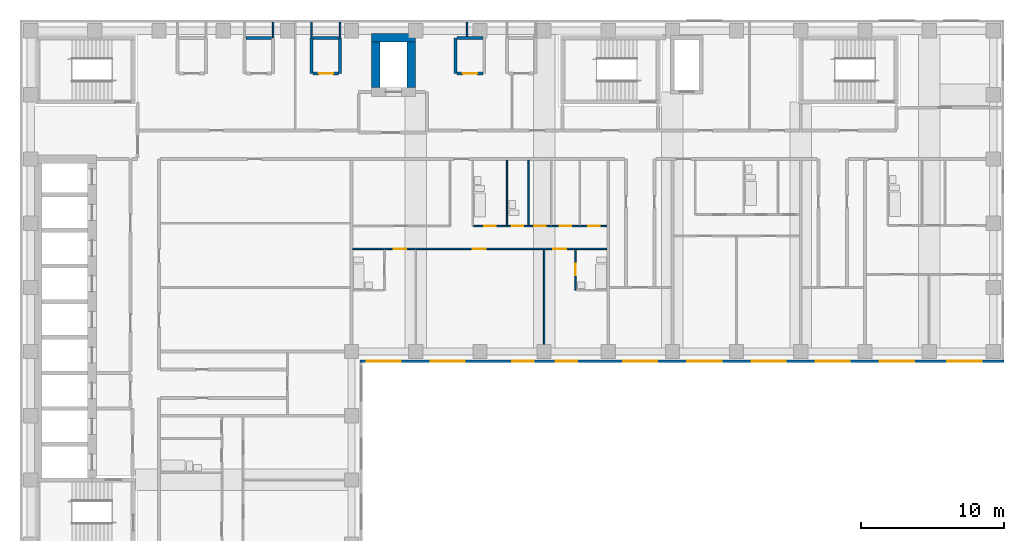
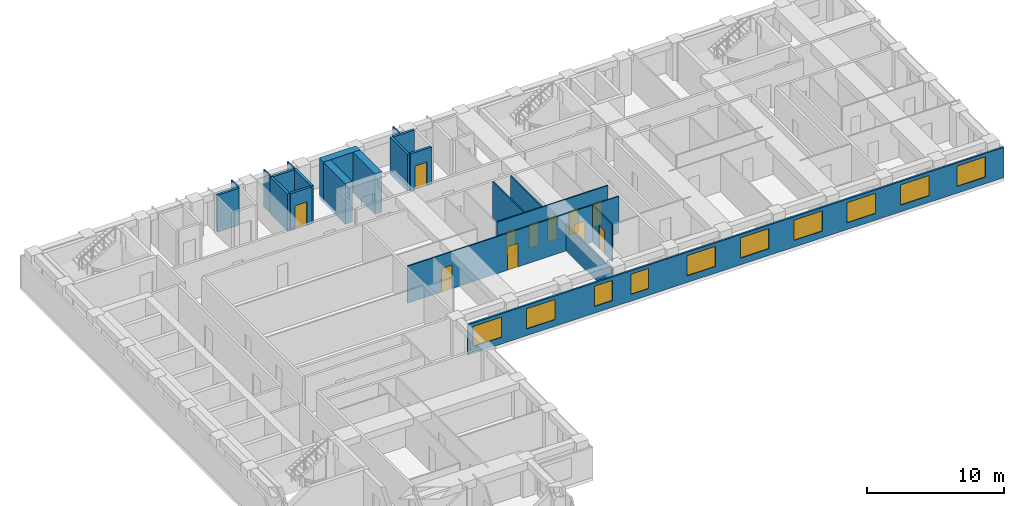
# One storey, part 6 of 12: 22 walls, 11 doors, 10 windows, 21 openings.
"""IFC4 building model written with IfcOpenShell, lengths in metres."""

from ifc_helpers import new_model, si_unit, direction, frame, frame_2d, origin, place, context, subcontext, project, spatial, rectangle, extrude, material, layer, layer_set, type_object, element, fill, save


model = new_model("IFC4")

# Units and contexts
model_context = context("Model", 3, precision=1e-05, world=origin(), true_north=direction((0.0, 1.0)))
body_context = subcontext(model_context, "Body", "Model", "MODEL_VIEW")
ifc_project = project(units=[si_unit("LENGTHUNIT", "METRE"), si_unit("AREAUNIT", "SQUARE_METRE"), si_unit("VOLUMEUNIT", "CUBIC_METRE"), si_unit("PLANEANGLEUNIT", "RADIAN"), si_unit("MASSUNIT", "GRAM", prefix="KILO")], contexts=[model_context])

# Site, building, storey
site_placement = place(None, origin())
site = spatial("IfcSite", under=ifc_project, at=site_placement, CompositionType="ELEMENT")
building_placement = place(site_placement, origin())
building = spatial("IfcBuilding", under=site, at=building_placement, Name="Firuza Court", CompositionType="ELEMENT")
storey_placement = place(building_placement, frame((0.0, 0.0, 166.39990234375)))
storey = spatial("IfcBuildingStorey", under=building, at=storey_placement, Name="L42", CompositionType="ELEMENT", Elevation=166.39990234375)

# Wall, opening, door
ifc_material_1 = material(Name="Moisture-resistant gypsum board partition")
ifc_layer_1 = layer(ifc_material_1, 0.10009765625)
ifc_layer_set_1 = layer_set([ifc_layer_1], Name="Moisture-resistant gypsum board partition")
wall_type_1 = type_object("IfcWallType", Name="Bathroom partition 100", PredefinedType="PLUMBINGWALL", material=ifc_layer_set_1)
wall_1_placement = place(storey_placement, frame((38.199951171875, 40.300048828125, 0.0), z_axis=(0.0, 0.0, 1.0), x_axis=(0.0, 1.0, 0.0)))
wall_1 = element("IfcWall", 1, at=wall_1_placement, inside=storey, type_object=wall_type_1, Name="Bathroom partition 100 L42", PredefinedType="PLUMBINGWALL", context=body_context, shape_type="SweptSolid", body=[
    extrude(rectangle(XDim=2.849853515625, YDim=0.10009765625, at=frame_2d((1.4248046875, 0.0))), origin(), (0.0, 0.0, 1.0), 3.300048828125),
])
opening_1_placement = place(wall_1_placement, frame((1.050048828125, 0.0, 0.0)))
opening_1 = element("IfcOpeningElement", 2, at=opening_1_placement, cuts=wall_1, Name="Opening D42041", PredefinedType="OPENING", context=body_context, shape_type="SweptSolid", body=[
    extrude(rectangle(XDim=0.800048828125, YDim=2.10009765625, at=frame_2d((0.39990234375, 1.050048828125))), frame((0.0, 0.06201171875, 0.0), z_axis=(0.0, -1.0, 0.0), x_axis=(1.0, 0.0, 0.0)), (0.0, 0.0, 1.0), 0.1240234375),
])
ifc_material_2 = material(Name="Timber door leaf in hardwood frame", Category="wood")
door_type_1 = type_object("IfcDoorType", Name="Bathroom door 800", OperationType="SINGLE_SWING_LEFT", PredefinedType="DOOR", material=ifc_material_2)
door_1_placement = place(opening_1_placement, frame((0.800048828125, 0.0, 0.0), z_axis=(0.0, 0.0, 1.0), x_axis=(-1.0, 0.0, 0.0)))
door_1 = element("IfcDoor", 3, at=door_1_placement, inside=storey, type_object=door_type_1, Name="En-suite door", OperationType="SINGLE_SWING_RIGHT", OverallHeight=2.10009765625, OverallWidth=0.800048828125, PredefinedType="DOOR", context=body_context, shape_type="SweptSolid", body=[
    extrude(rectangle(XDim=0.800048828125, YDim=2.10009765625, at=frame_2d((0.39990234375, 1.050048828125))), frame((0.0, 0.02490234375, 0.0), z_axis=(0.0, -1.0, 0.0), x_axis=(1.0, 0.0, 0.0)), (0.0, 0.0, 1.0), 0.050048828125),
])
fill(opening_1, door_1)

# Walls
for number, where, z_axis, x_axis, name in (
    (4, (33.39990234375, 44.85009765625, 0.0), (0.0, 0.0, 1.0), (0.0, 1.0, 0.0), "Bathroom partition 100 L42"),
    (5, (34.89990234375, 44.85009765625, 0.0), (0.0, 0.0, 1.0), (0.0, 1.0, 0.0), "Bathroom partition 100 L42"),
):
    element("IfcWall", number, at=place(storey_placement, frame(where, z_axis=z_axis, x_axis=x_axis)), inside=storey, type_object=wall_type_1, Name=name, PredefinedType="PLUMBINGWALL", context=body_context, shape_type="SweptSolid", body=[
        extrude(rectangle(XDim=4.5498046875, YDim=0.10009765625, at=frame_2d((2.27490234375, 0.0))), origin(), (0.0, 0.0, 1.0), 3.300048828125),
    ])
ifc_material_3 = material(Name="Concrete C60/75", Category="concrete")
ifc_layer_2 = layer(ifc_material_3, 0.60009765625)
ifc_layer_set_2 = layer_set([ifc_layer_2], Name="Concrete C60/75")
wall_type_2 = type_object("IfcWallType", Name="Core wall 600 C60/75", PredefinedType="SHEAR", material=ifc_layer_set_2)
wall_2_placement = place(storey_placement, frame((23.89990234375, 58.0, -0.2998046875), z_axis=(0.0, 0.0, 1.0), x_axis=(1.0, 0.0, 0.0)))
element("IfcWall", 6, at=wall_2_placement, inside=storey, type_object=wall_type_2, Name="Core wall lift shaft L42", PredefinedType="SHEAR", context=body_context, shape_type="SweptSolid", body=[
    extrude(rectangle(XDim=3.10009765625, YDim=0.60009765625, at=frame_2d((1.550048828125, 0.0))), origin(), (0.0, 0.0, 1.0), 3.599853515625),
])
for number, where, z_axis, x_axis, name in (
    (7, (24.199951171875, 54.5, -0.2998046875), (0.0, 0.0, 1.0), (0.0, 1.0, 0.0), "Core wall lift shaft L42"),
    (8, (26.699951171875, 54.5, -0.2998046875), (0.0, 0.0, 1.0), (0.0, 1.0, 0.0), "Core wall lift shaft L42"),
):
    element("IfcWall", number, at=place(storey_placement, frame(where, z_axis=z_axis, x_axis=x_axis)), inside=storey, type_object=wall_type_2, Name=name, PredefinedType="SHEAR", context=body_context, shape_type="SweptSolid", body=[
        extrude(rectangle(XDim=3.199951171875, YDim=0.60009765625, at=frame_2d((1.60009765625, 0.0))), origin(), (0.0, 0.0, 1.0), 3.599853515625),
    ])
ifc_material_4 = material(Name="Timber stud partition, plasterboard both sides", Category="wood")
ifc_layer_3 = layer(ifc_material_4, 0.10009765625)
ifc_layer_set_3 = layer_set([ifc_layer_3], Name="Timber stud partition, plasterboard both sides")
wall_type_3 = type_object("IfcWallType", Name="Partition wall 100", PredefinedType="PARTITIONING", material=ifc_layer_set_3)
wall_3_placement = place(storey_placement, frame((36.0, 36.5, 0.0), z_axis=(0.0, 0.0, 1.0), x_axis=(0.0, 1.0, 0.0)))
element("IfcWall", 9, at=wall_3_placement, inside=storey, type_object=wall_type_3, Name="Partition wall 100 L42", PredefinedType="PARTITIONING", context=body_context, shape_type="SweptSolid", body=[
    extrude(rectangle(XDim=6.64990234375, YDim=0.10009765625, at=frame_2d((3.324951171875, 0.0))), origin(), (0.0, 0.0, 1.0), 2.400146484375),
])

# Wall, openings, doors
wall_4_placement = place(storey_placement, frame((22.60009765625, 43.199951171875, 0.0), z_axis=(0.0, 0.0, 1.0), x_axis=(1.0, 0.0, 0.0)))
wall_4 = element("IfcWall", 10, at=wall_4_placement, inside=storey, type_object=wall_type_3, Name="Partition wall 100 L42", PredefinedType="PARTITIONING", context=body_context, shape_type="SweptSolid", body=[
    extrude(rectangle(XDim=17.7998046875, YDim=0.10009765625, at=frame_2d((8.89990234375, 0.0))), origin(), (0.0, 0.0, 1.0), 3.300048828125),
])
opening_2_placement = place(wall_4_placement, frame((2.85009765625, 0.0, 0.0)))
opening_2 = element("IfcOpeningElement", 11, at=opening_2_placement, cuts=wall_4, Name="Opening D42050", PredefinedType="OPENING", context=body_context, shape_type="SweptSolid", body=[
    extrude(rectangle(XDim=0.89990234375, YDim=2.10009765625, at=frame_2d((0.449951171875, 1.050048828125))), frame((0.0, 0.06201171875, 0.0), z_axis=(0.0, -1.0, 0.0), x_axis=(1.0, 0.0, 0.0)), (0.0, 0.0, 1.0), 0.1240234375),
])
opening_3_placement = place(wall_4_placement, frame((8.39990234375, 0.0, 0.0)))
opening_3 = element("IfcOpeningElement", 12, at=opening_3_placement, cuts=wall_4, Name="Opening D42051", PredefinedType="OPENING", context=body_context, shape_type="SweptSolid", body=[
    extrude(rectangle(XDim=0.89990234375, YDim=2.10009765625, at=frame_2d((0.449951171875, 1.050048828125))), frame((0.0, 0.06201171875, 0.0), z_axis=(0.0, -1.0, 0.0), x_axis=(1.0, 0.0, 0.0)), (0.0, 0.0, 1.0), 0.1240234375),
])
opening_4_placement = place(wall_4_placement, frame((14.050048828125, 0.0, 0.0)))
opening_4 = element("IfcOpeningElement", 13, at=opening_4_placement, cuts=wall_4, Name="Opening D42052", PredefinedType="OPENING", context=body_context, shape_type="SweptSolid", body=[
    extrude(rectangle(XDim=0.89990234375, YDim=2.10009765625, at=frame_2d((0.449951171875, 1.050048828125))), frame((0.0, 0.06201171875, 0.0), z_axis=(0.0, -1.0, 0.0), x_axis=(1.0, 0.0, 0.0)), (0.0, 0.0, 1.0), 0.1240234375),
])
ifc_material_5 = material(Name="Timber door leaf in hardwood frame", Category="wood")
door_type_2 = type_object("IfcDoorType", Name="Room door 900", OperationType="SINGLE_SWING_LEFT", PredefinedType="DOOR", material=ifc_material_5)
door_2_placement = place(opening_2_placement, frame((0.89990234375, 0.0, 0.0), z_axis=(0.0, 0.0, 1.0), x_axis=(-1.0, 0.0, 0.0)))
door_2 = element("IfcDoor", 14, at=door_2_placement, inside=storey, type_object=door_type_2, Name="Bedroom door", OperationType="SINGLE_SWING_RIGHT", OverallHeight=2.10009765625, OverallWidth=0.89990234375, PredefinedType="DOOR", context=body_context, shape_type="SweptSolid", body=[
    extrude(rectangle(XDim=0.89990234375, YDim=2.10009765625, at=frame_2d((0.449951171875, 1.050048828125))), frame((0.0, 0.02490234375, 0.0), z_axis=(0.0, -1.0, 0.0), x_axis=(1.0, 0.0, 0.0)), (0.0, 0.0, 1.0), 0.050048828125),
])
fill(opening_2, door_2)
door_3_placement = place(opening_3_placement, frame((0.89990234375, 0.0, 0.0), z_axis=(0.0, 0.0, 1.0), x_axis=(-1.0, 0.0, 0.0)))
door_3 = element("IfcDoor", 15, at=door_3_placement, inside=storey, type_object=door_type_2, Name="Living room door", OperationType="SINGLE_SWING_RIGHT", OverallHeight=2.10009765625, OverallWidth=0.89990234375, PredefinedType="DOOR", context=body_context, shape_type="SweptSolid", body=[
    extrude(rectangle(XDim=0.89990234375, YDim=2.10009765625, at=frame_2d((0.449951171875, 1.050048828125))), frame((0.0, 0.02490234375, 0.0), z_axis=(0.0, -1.0, 0.0), x_axis=(1.0, 0.0, 0.0)), (0.0, 0.0, 1.0), 0.050048828125),
])
fill(opening_3, door_3)
door_4_placement = place(opening_4_placement, frame((0.89990234375, 0.0, 0.0), z_axis=(0.0, 0.0, 1.0), x_axis=(-1.0, 0.0, 0.0)))
door_4 = element("IfcDoor", 16, at=door_4_placement, inside=storey, type_object=door_type_2, Name="Bedroom door", OperationType="SINGLE_SWING_RIGHT", OverallHeight=2.10009765625, OverallWidth=0.89990234375, PredefinedType="DOOR", context=body_context, shape_type="SweptSolid", body=[
    extrude(rectangle(XDim=0.89990234375, YDim=2.10009765625, at=frame_2d((0.449951171875, 1.050048828125))), frame((0.0, 0.02490234375, 0.0), z_axis=(0.0, -1.0, 0.0), x_axis=(1.0, 0.0, 0.0)), (0.0, 0.0, 1.0), 0.050048828125),
])
fill(opening_4, door_4)

wall_5_placement = place(storey_placement, frame((31.050048828125, 44.800048828125, 0.0), z_axis=(0.0, 0.0, 1.0), x_axis=(1.0, 0.0, 0.0)))
wall_5 = element("IfcWall", 17, at=wall_5_placement, inside=storey, type_object=wall_type_3, Name="Partition wall 100 L42", PredefinedType="PARTITIONING", context=body_context, shape_type="SweptSolid", body=[
    extrude(rectangle(XDim=9.349853515625, YDim=0.10009765625, at=frame_2d((4.6748046875, 0.0))), origin(), (0.0, 0.0, 1.0), 3.300048828125),
])
opening_5_placement = place(wall_5_placement, frame((0.75, 0.0, 0.0)))
opening_5 = element("IfcOpeningElement", 18, at=opening_5_placement, cuts=wall_5, Name="Opening D42056", PredefinedType="OPENING", context=body_context, shape_type="SweptSolid", body=[
    extrude(rectangle(XDim=0.800048828125, YDim=2.10009765625, at=frame_2d((0.39990234375, 1.050048828125))), frame((0.0, 0.06201171875, 0.0), z_axis=(0.0, -1.0, 0.0), x_axis=(1.0, 0.0, 0.0)), (0.0, 0.0, 1.0), 0.1240234375),
])
opening_6_placement = place(wall_5_placement, frame((8.050048828125, 0.0, 0.0)))
opening_6 = element("IfcOpeningElement", 19, at=opening_6_placement, cuts=wall_5, Name="Opening D42057", PredefinedType="OPENING", context=body_context, shape_type="SweptSolid", body=[
    extrude(rectangle(XDim=0.800048828125, YDim=2.10009765625, at=frame_2d((0.39990234375, 1.050048828125))), frame((0.0, 0.06201171875, 0.0), z_axis=(0.0, -1.0, 0.0), x_axis=(1.0, 0.0, 0.0)), (0.0, 0.0, 1.0), 0.1240234375),
])
opening_7_placement = place(wall_5_placement, frame((4.25, 0.0, 0.0)))
opening_7 = element("IfcOpeningElement", 20, at=opening_7_placement, cuts=wall_5, Name="Opening D42058", PredefinedType="OPENING", context=body_context, shape_type="SweptSolid", body=[
    extrude(rectangle(XDim=0.800048828125, YDim=2.10009765625, at=frame_2d((0.39990234375, 1.050048828125))), frame((0.0, 0.06201171875, 0.0), z_axis=(0.0, -1.0, 0.0), x_axis=(1.0, 0.0, 0.0)), (0.0, 0.0, 1.0), 0.1240234375),
])
opening_8_placement = place(wall_5_placement, frame((6.050048828125, 0.0, 0.0)))
opening_8 = element("IfcOpeningElement", 21, at=opening_8_placement, cuts=wall_5, Name="Opening D42059", PredefinedType="OPENING", context=body_context, shape_type="SweptSolid", body=[
    extrude(rectangle(XDim=0.800048828125, YDim=2.10009765625, at=frame_2d((0.39990234375, 1.050048828125))), frame((0.0, 0.06201171875, 0.0), z_axis=(0.0, -1.0, 0.0), x_axis=(1.0, 0.0, 0.0)), (0.0, 0.0, 1.0), 0.1240234375),
])
opening_9_placement = place(wall_5_placement, frame((2.699951171875, 0.0, 0.0)))
opening_9 = element("IfcOpeningElement", 22, at=opening_9_placement, cuts=wall_5, Name="Opening D42060", PredefinedType="OPENING", context=body_context, shape_type="SweptSolid", body=[
    extrude(rectangle(XDim=0.800048828125, YDim=2.10009765625, at=frame_2d((0.39990234375, 1.050048828125))), frame((0.0, 0.06201171875, 0.0), z_axis=(0.0, -1.0, 0.0), x_axis=(1.0, 0.0, 0.0)), (0.0, 0.0, 1.0), 0.1240234375),
])
door_5_placement = place(opening_5_placement, origin())
door_5 = element("IfcDoor", 23, at=door_5_placement, inside=storey, type_object=door_type_1, Name="Bathroom door", OperationType="SINGLE_SWING_LEFT", OverallHeight=2.10009765625, OverallWidth=0.800048828125, PredefinedType="DOOR", context=body_context, shape_type="SweptSolid", body=[
    extrude(rectangle(XDim=0.800048828125, YDim=2.10009765625, at=frame_2d((0.39990234375, 1.050048828125))), frame((0.0, 0.02490234375, 0.0), z_axis=(0.0, -1.0, 0.0), x_axis=(1.0, 0.0, 0.0)), (0.0, 0.0, 1.0), 0.050048828125),
])
fill(opening_5, door_5)
door_6_placement = place(opening_9_placement, origin())
door_6 = element("IfcDoor", 24, at=door_6_placement, inside=storey, type_object=door_type_1, Name="Powder room door", OperationType="SINGLE_SWING_LEFT", OverallHeight=2.10009765625, OverallWidth=0.800048828125, PredefinedType="DOOR", context=body_context, shape_type="SweptSolid", body=[
    extrude(rectangle(XDim=0.800048828125, YDim=2.10009765625, at=frame_2d((0.39990234375, 1.050048828125))), frame((0.0, 0.02490234375, 0.0), z_axis=(0.0, -1.0, 0.0), x_axis=(1.0, 0.0, 0.0)), (0.0, 0.0, 1.0), 0.050048828125),
])
fill(opening_9, door_6)
ifc_material_6 = material(Name="Timber door leaf in hardwood frame", Category="wood")
door_type_3 = type_object("IfcDoorType", Name="Room door 800", OperationType="SINGLE_SWING_LEFT", PredefinedType="DOOR", material=ifc_material_6)
door_7_placement = place(opening_6_placement, origin())
door_7 = element("IfcDoor", 25, at=door_7_placement, inside=storey, type_object=door_type_3, Name="Pantry door", OperationType="SINGLE_SWING_LEFT", OverallHeight=2.10009765625, OverallWidth=0.800048828125, PredefinedType="DOOR", context=body_context, shape_type="SweptSolid", body=[
    extrude(rectangle(XDim=0.800048828125, YDim=2.10009765625, at=frame_2d((0.39990234375, 1.050048828125))), frame((0.0, 0.02490234375, 0.0), z_axis=(0.0, -1.0, 0.0), x_axis=(1.0, 0.0, 0.0)), (0.0, 0.0, 1.0), 0.050048828125),
])
fill(opening_6, door_7)
door_8_placement = place(opening_7_placement, origin())
door_8 = element("IfcDoor", 26, at=door_8_placement, inside=storey, type_object=door_type_3, Name="Store door", OperationType="SINGLE_SWING_LEFT", OverallHeight=2.10009765625, OverallWidth=0.800048828125, PredefinedType="DOOR", context=body_context, shape_type="SweptSolid", body=[
    extrude(rectangle(XDim=0.800048828125, YDim=2.10009765625, at=frame_2d((0.39990234375, 1.050048828125))), frame((0.0, 0.02490234375, 0.0), z_axis=(0.0, -1.0, 0.0), x_axis=(1.0, 0.0, 0.0)), (0.0, 0.0, 1.0), 0.050048828125),
])
fill(opening_7, door_8)
door_9_placement = place(opening_8_placement, origin())
door_9 = element("IfcDoor", 27, at=door_9_placement, inside=storey, type_object=door_type_3, Name="Utility room door", OperationType="SINGLE_SWING_LEFT", OverallHeight=2.10009765625, OverallWidth=0.800048828125, PredefinedType="DOOR", context=body_context, shape_type="SweptSolid", body=[
    extrude(rectangle(XDim=0.800048828125, YDim=2.10009765625, at=frame_2d((0.39990234375, 1.050048828125))), frame((0.0, 0.02490234375, 0.0), z_axis=(0.0, -1.0, 0.0), x_axis=(1.0, 0.0, 0.0)), (0.0, 0.0, 1.0), 0.050048828125),
])
fill(opening_8, door_9)

# Walls
for number, where, z_axis, x_axis, name in (
    (28, (17.0, 58.0, 0.0), (0.0, 0.0, 1.0), (0.0, 1.0, 0.0), "Partition wall 100 L42"),
    (29, (19.699951171875, 58.0, 0.0), (0.0, 0.0, 1.0), (0.0, 1.0, 0.0), "Partition wall 100 L42"),
    (30, (21.699951171875, 58.0, 0.0), (0.0, 0.0, 1.0), (0.0, 1.0, 0.0), "Partition wall 100 L42"),
):
    element("IfcWall", number, at=place(storey_placement, frame(where, z_axis=z_axis, x_axis=x_axis)), inside=storey, type_object=wall_type_3, Name=name, PredefinedType="PARTITIONING", context=body_context, shape_type="SweptSolid", body=[
        extrude(rectangle(XDim=1.10009765625, YDim=0.10009765625, at=frame_2d((0.550048828125, 0.0))), origin(), (0.0, 0.0, 1.0), 3.300048828125),
    ])
wall_6_placement = place(storey_placement, frame((30.60009765625, 58.10009765625, 0.0), z_axis=(0.0, 0.0, 1.0), x_axis=(0.0, 1.0, 0.0)))
element("IfcWall", 31, at=wall_6_placement, inside=storey, type_object=wall_type_3, Name="Partition wall 100 L42", PredefinedType="PARTITIONING", context=body_context, shape_type="SweptSolid", body=[
    extrude(rectangle(XDim=1.0, YDim=0.10009765625, at=frame_2d((0.5, 0.0))), origin(), (0.0, 0.0, 1.0), 3.300048828125),
])
ifc_material_7 = material(Name="Blockwork, fire-rated", Category="masonry")
ifc_layer_4 = layer(ifc_material_7, 0.199951171875)
ifc_layer_set_4 = layer_set([ifc_layer_4], Name="Blockwork, fire-rated")
wall_type_4 = type_object("IfcWallType", Name="Plant room wall 200", PredefinedType="PARTITIONING", material=ifc_layer_set_4)
wall_7_placement = place(storey_placement, frame((19.699951171875, 55.5, 0.0), z_axis=(0.0, 0.0, 1.0), x_axis=(0.0, 1.0, 0.0)))
element("IfcWall", 32, at=wall_7_placement, inside=storey, type_object=wall_type_4, Name="Plant room wall 200 L42", PredefinedType="PARTITIONING", context=body_context, shape_type="SweptSolid", body=[
    extrude(rectangle(XDim=2.5, YDim=0.199951171875, at=frame_2d((1.25, 0.0))), origin(), (0.0, 0.0, 1.0), 3.300048828125),
])

# Wall, opening, door
wall_8_placement = place(storey_placement, frame((19.800048828125, 55.5, 0.0), z_axis=(0.0, 0.0, 1.0), x_axis=(1.0, 0.0, 0.0)))
wall_8 = element("IfcWall", 33, at=wall_8_placement, inside=storey, type_object=wall_type_4, Name="Plant room wall 200 L42", PredefinedType="PARTITIONING", context=body_context, shape_type="SweptSolid", body=[
    extrude(rectangle(XDim=1.800048828125, YDim=0.199951171875, at=frame_2d((0.89990234375, 0.0))), origin(), (0.0, 0.0, 1.0), 3.300048828125),
])
opening_10_placement = place(wall_8_placement, frame((0.39990234375, 0.0, 0.0)))
opening_10 = element("IfcOpeningElement", 34, at=opening_10_placement, cuts=wall_8, Name="Opening D42080", PredefinedType="OPENING", context=body_context, shape_type="SweptSolid", body=[
    extrude(rectangle(XDim=1.0, YDim=2.10009765625, at=frame_2d((0.5, 1.050048828125))), frame((0.0, 0.11181640625, 0.0), z_axis=(0.0, -1.0, 0.0), x_axis=(1.0, 0.0, 0.0)), (0.0, 0.0, 1.0), 0.223876953125),
])
ifc_material_8 = material(Name="Timber door leaf in hardwood frame", Category="wood")
door_type_4 = type_object("IfcDoorType", Name="Riser door 1000", OperationType="SINGLE_SWING_LEFT", PredefinedType="DOOR", material=ifc_material_8)
door_10_placement = place(opening_10_placement, origin())
door_10 = element("IfcDoor", 35, at=door_10_placement, inside=storey, type_object=door_type_4, Name="Duct riser door", OperationType="SINGLE_SWING_LEFT", OverallHeight=2.10009765625, OverallWidth=1.0, PredefinedType="DOOR", context=body_context, shape_type="SweptSolid", body=[
    extrude(rectangle(XDim=1.0, YDim=2.10009765625, at=frame_2d((0.5, 1.050048828125))), frame((0.0, 0.02490234375, 0.0), z_axis=(0.0, -1.0, 0.0), x_axis=(1.0, 0.0, 0.0)), (0.0, 0.0, 1.0), 0.050048828125),
])
fill(opening_10, door_10)

# Walls
for number, where, z_axis, x_axis, name in (
    (36, (21.699951171875, 55.5, 0.0), (0.0, 0.0, 1.0), (0.0, 1.0, 0.0), "Plant room wall 200 L42"),
    (37, (29.800048828125, 55.5, 0.0), (0.0, 0.0, 1.0), (0.0, 1.0, 0.0), "Plant room wall 200 L42"),
):
    element("IfcWall", number, at=place(storey_placement, frame(where, z_axis=z_axis, x_axis=x_axis)), inside=storey, type_object=wall_type_4, Name=name, PredefinedType="PARTITIONING", context=body_context, shape_type="SweptSolid", body=[
        extrude(rectangle(XDim=2.5, YDim=0.199951171875, at=frame_2d((1.25, 0.0))), origin(), (0.0, 0.0, 1.0), 3.300048828125),
    ])

# Wall, opening, door
wall_9_placement = place(storey_placement, frame((29.89990234375, 55.5, 0.0), z_axis=(0.0, 0.0, 1.0), x_axis=(1.0, 0.0, 0.0)))
wall_9 = element("IfcWall", 38, at=wall_9_placement, inside=storey, type_object=wall_type_4, Name="Plant room wall 200 L42", PredefinedType="PARTITIONING", context=body_context, shape_type="SweptSolid", body=[
    extrude(rectangle(XDim=1.800048828125, YDim=0.199951171875, at=frame_2d((0.89990234375, 0.0))), origin(), (0.0, 0.0, 1.0), 3.300048828125),
])
opening_11_placement = place(wall_9_placement, frame((0.39990234375, 0.0, 0.0)))
opening_11 = element("IfcOpeningElement", 39, at=opening_11_placement, cuts=wall_9, Name="Opening D42081", PredefinedType="OPENING", context=body_context, shape_type="SweptSolid", body=[
    extrude(rectangle(XDim=1.0, YDim=2.10009765625, at=frame_2d((0.5, 1.050048828125))), frame((0.0, 0.11181640625, 0.0), z_axis=(0.0, -1.0, 0.0), x_axis=(1.0, 0.0, 0.0)), (0.0, 0.0, 1.0), 0.223876953125),
])
door_11_placement = place(opening_11_placement, origin())
door_11 = element("IfcDoor", 40, at=door_11_placement, inside=storey, type_object=door_type_4, Name="Electrical riser door", OperationType="SINGLE_SWING_LEFT", OverallHeight=2.10009765625, OverallWidth=1.0, PredefinedType="DOOR", context=body_context, shape_type="SweptSolid", body=[
    extrude(rectangle(XDim=1.0, YDim=2.10009765625, at=frame_2d((0.5, 1.050048828125))), frame((0.0, 0.02490234375, 0.0), z_axis=(0.0, -1.0, 0.0), x_axis=(1.0, 0.0, 0.0)), (0.0, 0.0, 1.0), 0.050048828125),
])
fill(opening_11, door_11)

# Walls
wall_10_placement = place(storey_placement, frame((15.10009765625, 58.0, 0.0), z_axis=(0.0, 0.0, 1.0), x_axis=(1.0, 0.0, 0.0)))
element("IfcWall", 41, at=wall_10_placement, inside=storey, type_object=wall_type_4, Name="Plant room wall 200 L42", PredefinedType="PARTITIONING", context=body_context, shape_type="SweptSolid", body=[
    extrude(rectangle(XDim=1.7998046875, YDim=0.199951171875, at=frame_2d((0.89990234375, 0.0))), origin(), (0.0, 0.0, 1.0), 3.300048828125),
])
for number, where, z_axis, x_axis, name in (
    (42, (19.800048828125, 58.0, 0.0), (0.0, 0.0, 1.0), (1.0, 0.0, 0.0), "Plant room wall 200 L42"),
    (43, (29.89990234375, 58.0, 0.0), (0.0, 0.0, 1.0), (1.0, 0.0, 0.0), "Plant room wall 200 L42"),
):
    element("IfcWall", number, at=place(storey_placement, frame(where, z_axis=z_axis, x_axis=x_axis)), inside=storey, type_object=wall_type_4, Name=name, PredefinedType="PARTITIONING", context=body_context, shape_type="SweptSolid", body=[
        extrude(rectangle(XDim=1.800048828125, YDim=0.199951171875, at=frame_2d((0.89990234375, 0.0))), origin(), (0.0, 0.0, 1.0), 3.300048828125),
    ])

# Wall, openings, windows
ifc_material_9 = material(Name="Ceramic tile", Category="ceramic")
ifc_layer_5 = layer(ifc_material_9, 0.02001953125)
ifc_material_10 = material(Name="Mineral wool insulation", Category="insulation")
ifc_layer_6 = layer(ifc_material_10, 0.050048828125)
ifc_material_11 = material(Name="Concrete C40/50 precast", Category="concrete")
ifc_layer_7 = layer(ifc_material_11, 0.080078125)
ifc_layer_set_5 = layer_set([ifc_layer_5, ifc_layer_6, ifc_layer_7], Name="Concrete C40/50 precast")
wall_type_5 = type_object("IfcWallType", Name="Precast cladding wall with turquoise TILE PANEL face 150", PredefinedType="STANDARD", material=ifc_layer_set_5)
wall_11_placement = place(storey_placement, frame((23.10009765625, 35.324951171875, 0.0), z_axis=(0.0, 0.0, 1.0), x_axis=(1.0, 0.0, 0.0)))
wall_11 = element("IfcWall", 44, at=wall_11_placement, inside=storey, type_object=wall_type_5, Name="Facade wall L42 S", PredefinedType="STANDARD", context=body_context, shape_type="SweptSolid", body=[
    extrude(rectangle(XDim=45.14990234375, YDim=0.14990234375, at=frame_2d((22.574951171875, 0.0))), origin(), (0.0, 0.0, 1.0), 2.7001953125),
])
opening_12_placement = place(wall_11_placement, frame((0.449951171875, 0.0, 0.60009765625)))
opening_12 = element("IfcOpeningElement", 45, at=opening_12_placement, cuts=wall_11, Name="Opening W1", PredefinedType="OPENING", context=body_context, shape_type="SweptSolid", body=[
    extrude(rectangle(XDim=2.39990234375, YDim=1.800048828125, at=frame_2d((1.199951171875, 0.89990234375))), frame((0.0, 0.0869140625, 0.0), z_axis=(0.0, -1.0, 0.0), x_axis=(1.0, 0.0, 0.0)), (0.0, 0.0, 1.0), 0.173828125),
])
opening_13_placement = place(wall_11_placement, frame((4.949951171875, 0.0, 0.60009765625)))
opening_13 = element("IfcOpeningElement", 46, at=opening_13_placement, cuts=wall_11, Name="Opening W1", PredefinedType="OPENING", context=body_context, shape_type="SweptSolid", body=[
    extrude(rectangle(XDim=2.39990234375, YDim=1.800048828125, at=frame_2d((1.199951171875, 0.89990234375))), frame((0.0, 0.0869140625, 0.0), z_axis=(0.0, -1.0, 0.0), x_axis=(1.0, 0.0, 0.0)), (0.0, 0.0, 1.0), 0.173828125),
])
opening_14_placement = place(wall_11_placement, frame((10.664794921875, 0.0, 0.60009765625)))
opening_14 = element("IfcOpeningElement", 47, at=opening_14_placement, cuts=wall_11, Name="Opening W2", PredefinedType="OPENING", context=body_context, shape_type="SweptSolid", body=[
    extrude(rectangle(XDim=1.5, YDim=1.800048828125, at=frame_2d((0.75, 0.89990234375))), frame((0.0, 0.0869140625, 0.0), z_axis=(0.0, -1.0, 0.0), x_axis=(1.0, 0.0, 0.0)), (0.0, 0.0, 1.0), 0.173828125),
])
opening_15_placement = place(wall_11_placement, frame((13.730712890625, 0.0, 0.60009765625)))
opening_15 = element("IfcOpeningElement", 48, at=opening_15_placement, cuts=wall_11, Name="Opening W2", PredefinedType="OPENING", context=body_context, shape_type="SweptSolid", body=[
    extrude(rectangle(XDim=1.5, YDim=1.800048828125, at=frame_2d((0.75, 0.89990234375))), frame((0.0, 0.0869140625, 0.0), z_axis=(0.0, -1.0, 0.0), x_axis=(1.0, 0.0, 0.0)), (0.0, 0.0, 1.0), 0.173828125),
])
opening_16_placement = place(wall_11_placement, frame((18.449951171875, 0.0, 0.60009765625)))
opening_16 = element("IfcOpeningElement", 49, at=opening_16_placement, cuts=wall_11, Name="Opening W1", PredefinedType="OPENING", context=body_context, shape_type="SweptSolid", body=[
    extrude(rectangle(XDim=2.39990234375, YDim=1.800048828125, at=frame_2d((1.199951171875, 0.89990234375))), frame((0.0, 0.0869140625, 0.0), z_axis=(0.0, -1.0, 0.0), x_axis=(1.0, 0.0, 0.0)), (0.0, 0.0, 1.0), 0.173828125),
])
opening_17_placement = place(wall_11_placement, frame((22.949951171875, 0.0, 0.60009765625)))
opening_17 = element("IfcOpeningElement", 50, at=opening_17_placement, cuts=wall_11, Name="Opening W1", PredefinedType="OPENING", context=body_context, shape_type="SweptSolid", body=[
    extrude(rectangle(XDim=2.39990234375, YDim=1.800048828125, at=frame_2d((1.199951171875, 0.89990234375))), frame((0.0, 0.0869140625, 0.0), z_axis=(0.0, -1.0, 0.0), x_axis=(1.0, 0.0, 0.0)), (0.0, 0.0, 1.0), 0.173828125),
])
opening_18_placement = place(wall_11_placement, frame((27.449951171875, 0.0, 0.60009765625)))
opening_18 = element("IfcOpeningElement", 51, at=opening_18_placement, cuts=wall_11, Name="Opening W1", PredefinedType="OPENING", context=body_context, shape_type="SweptSolid", body=[
    extrude(rectangle(XDim=2.39990234375, YDim=1.800048828125, at=frame_2d((1.199951171875, 0.89990234375))), frame((0.0, 0.0869140625, 0.0), z_axis=(0.0, -1.0, 0.0), x_axis=(1.0, 0.0, 0.0)), (0.0, 0.0, 1.0), 0.173828125),
])
opening_19_placement = place(wall_11_placement, frame((31.949951171875, 0.0, 0.60009765625)))
opening_19 = element("IfcOpeningElement", 52, at=opening_19_placement, cuts=wall_11, Name="Opening W1", PredefinedType="OPENING", context=body_context, shape_type="SweptSolid", body=[
    extrude(rectangle(XDim=2.39990234375, YDim=1.800048828125, at=frame_2d((1.199951171875, 0.89990234375))), frame((0.0, 0.0869140625, 0.0), z_axis=(0.0, -1.0, 0.0), x_axis=(1.0, 0.0, 0.0)), (0.0, 0.0, 1.0), 0.173828125),
])
opening_20_placement = place(wall_11_placement, frame((36.449951171875, 0.0, 0.60009765625)))
opening_20 = element("IfcOpeningElement", 53, at=opening_20_placement, cuts=wall_11, Name="Opening W1", PredefinedType="OPENING", context=body_context, shape_type="SweptSolid", body=[
    extrude(rectangle(XDim=2.39990234375, YDim=1.800048828125, at=frame_2d((1.199951171875, 0.89990234375))), frame((0.0, 0.0869140625, 0.0), z_axis=(0.0, -1.0, 0.0), x_axis=(1.0, 0.0, 0.0)), (0.0, 0.0, 1.0), 0.173828125),
])
opening_21_placement = place(wall_11_placement, frame((41.17236328125, 0.0, 0.60009765625)))
opening_21 = element("IfcOpeningElement", 54, at=opening_21_placement, cuts=wall_11, Name="Opening W1", PredefinedType="OPENING", context=body_context, shape_type="SweptSolid", body=[
    extrude(rectangle(XDim=2.39990234375, YDim=1.800048828125, at=frame_2d((1.199951171875, 0.89990234375))), frame((0.0, 0.0869140625, 0.0), z_axis=(0.0, -1.0, 0.0), x_axis=(1.0, 0.0, 0.0)), (0.0, 0.0, 1.0), 0.173828125),
])
ifc_material_12 = material(Name="Aluminium frame, triple clear glazing", Category="aluminium")
window_type_1 = type_object("IfcWindowType", Name="Window W1 2400 x 1800", PartitioningType="SINGLE_PANEL", PredefinedType="WINDOW", material=ifc_material_12)
window_1_placement = place(opening_12_placement, origin())
window_1 = element("IfcWindow", 55, at=window_1_placement, inside=storey, type_object=window_type_1, Name="Window L42", OverallHeight=1.800048828125, OverallWidth=2.39990234375, PartitioningType="SINGLE_PANEL", PredefinedType="WINDOW", context=body_context, shape_type="SweptSolid", body=[
    extrude(rectangle(XDim=2.39990234375, YDim=1.800048828125, at=frame_2d((1.199951171875, 0.89990234375))), frame((0.0, 0.030029296875, 0.0), z_axis=(0.0, -1.0, 0.0), x_axis=(1.0, 0.0, 0.0)), (0.0, 0.0, 1.0), 0.06005859375),
])
fill(opening_12, window_1)
window_2_placement = place(opening_13_placement, origin())
window_2 = element("IfcWindow", 56, at=window_2_placement, inside=storey, type_object=window_type_1, Name="Window L42", OverallHeight=1.800048828125, OverallWidth=2.39990234375, PartitioningType="SINGLE_PANEL", PredefinedType="WINDOW", context=body_context, shape_type="SweptSolid", body=[
    extrude(rectangle(XDim=2.39990234375, YDim=1.800048828125, at=frame_2d((1.199951171875, 0.89990234375))), frame((0.0, 0.030029296875, 0.0), z_axis=(0.0, -1.0, 0.0), x_axis=(1.0, 0.0, 0.0)), (0.0, 0.0, 1.0), 0.06005859375),
])
fill(opening_13, window_2)
window_3_placement = place(opening_16_placement, origin())
window_3 = element("IfcWindow", 57, at=window_3_placement, inside=storey, type_object=window_type_1, Name="Window L42", OverallHeight=1.800048828125, OverallWidth=2.39990234375, PartitioningType="SINGLE_PANEL", PredefinedType="WINDOW", context=body_context, shape_type="SweptSolid", body=[
    extrude(rectangle(XDim=2.39990234375, YDim=1.800048828125, at=frame_2d((1.199951171875, 0.89990234375))), frame((0.0, 0.030029296875, 0.0), z_axis=(0.0, -1.0, 0.0), x_axis=(1.0, 0.0, 0.0)), (0.0, 0.0, 1.0), 0.06005859375),
])
fill(opening_16, window_3)
window_4_placement = place(opening_17_placement, origin())
window_4 = element("IfcWindow", 58, at=window_4_placement, inside=storey, type_object=window_type_1, Name="Window L42", OverallHeight=1.800048828125, OverallWidth=2.39990234375, PartitioningType="SINGLE_PANEL", PredefinedType="WINDOW", context=body_context, shape_type="SweptSolid", body=[
    extrude(rectangle(XDim=2.39990234375, YDim=1.800048828125, at=frame_2d((1.199951171875, 0.89990234375))), frame((0.0, 0.030029296875, 0.0), z_axis=(0.0, -1.0, 0.0), x_axis=(1.0, 0.0, 0.0)), (0.0, 0.0, 1.0), 0.06005859375),
])
fill(opening_17, window_4)
window_5_placement = place(opening_18_placement, origin())
window_5 = element("IfcWindow", 59, at=window_5_placement, inside=storey, type_object=window_type_1, Name="Window L42", OverallHeight=1.800048828125, OverallWidth=2.39990234375, PartitioningType="SINGLE_PANEL", PredefinedType="WINDOW", context=body_context, shape_type="SweptSolid", body=[
    extrude(rectangle(XDim=2.39990234375, YDim=1.800048828125, at=frame_2d((1.199951171875, 0.89990234375))), frame((0.0, 0.030029296875, 0.0), z_axis=(0.0, -1.0, 0.0), x_axis=(1.0, 0.0, 0.0)), (0.0, 0.0, 1.0), 0.06005859375),
])
fill(opening_18, window_5)
window_6_placement = place(opening_19_placement, origin())
window_6 = element("IfcWindow", 60, at=window_6_placement, inside=storey, type_object=window_type_1, Name="Window L42", OverallHeight=1.800048828125, OverallWidth=2.39990234375, PartitioningType="SINGLE_PANEL", PredefinedType="WINDOW", context=body_context, shape_type="SweptSolid", body=[
    extrude(rectangle(XDim=2.39990234375, YDim=1.800048828125, at=frame_2d((1.199951171875, 0.89990234375))), frame((0.0, 0.030029296875, 0.0), z_axis=(0.0, -1.0, 0.0), x_axis=(1.0, 0.0, 0.0)), (0.0, 0.0, 1.0), 0.06005859375),
])
fill(opening_19, window_6)
window_7_placement = place(opening_20_placement, origin())
window_7 = element("IfcWindow", 61, at=window_7_placement, inside=storey, type_object=window_type_1, Name="Window L42", OverallHeight=1.800048828125, OverallWidth=2.39990234375, PartitioningType="SINGLE_PANEL", PredefinedType="WINDOW", context=body_context, shape_type="SweptSolid", body=[
    extrude(rectangle(XDim=2.39990234375, YDim=1.800048828125, at=frame_2d((1.199951171875, 0.89990234375))), frame((0.0, 0.030029296875, 0.0), z_axis=(0.0, -1.0, 0.0), x_axis=(1.0, 0.0, 0.0)), (0.0, 0.0, 1.0), 0.06005859375),
])
fill(opening_20, window_7)
window_8_placement = place(opening_21_placement, origin())
window_8 = element("IfcWindow", 62, at=window_8_placement, inside=storey, type_object=window_type_1, Name="Window L42", OverallHeight=1.800048828125, OverallWidth=2.39990234375, PartitioningType="SINGLE_PANEL", PredefinedType="WINDOW", context=body_context, shape_type="SweptSolid", body=[
    extrude(rectangle(XDim=2.39990234375, YDim=1.800048828125, at=frame_2d((1.199951171875, 0.89990234375))), frame((0.0, 0.030029296875, 0.0), z_axis=(0.0, -1.0, 0.0), x_axis=(1.0, 0.0, 0.0)), (0.0, 0.0, 1.0), 0.06005859375),
])
fill(opening_21, window_8)
ifc_material_13 = material(Name="Aluminium frame, triple clear glazing", Category="aluminium")
window_type_2 = type_object("IfcWindowType", Name="Window W2 1500 x 1800", PartitioningType="SINGLE_PANEL", PredefinedType="WINDOW", material=ifc_material_13)
window_9_placement = place(opening_14_placement, origin())
window_9 = element("IfcWindow", 63, at=window_9_placement, inside=storey, type_object=window_type_2, Name="Window L42", OverallHeight=1.800048828125, OverallWidth=1.5, PartitioningType="SINGLE_PANEL", PredefinedType="WINDOW", context=body_context, shape_type="SweptSolid", body=[
    extrude(rectangle(XDim=1.5, YDim=1.800048828125, at=frame_2d((0.75, 0.89990234375))), frame((0.0, 0.030029296875, 0.0), z_axis=(0.0, -1.0, 0.0), x_axis=(1.0, 0.0, 0.0)), (0.0, 0.0, 1.0), 0.06005859375),
])
fill(opening_14, window_9)
window_10_placement = place(opening_15_placement, origin())
window_10 = element("IfcWindow", 64, at=window_10_placement, inside=storey, type_object=window_type_2, Name="Window L42", OverallHeight=1.800048828125, OverallWidth=1.5, PartitioningType="SINGLE_PANEL", PredefinedType="WINDOW", context=body_context, shape_type="SweptSolid", body=[
    extrude(rectangle(XDim=1.5, YDim=1.800048828125, at=frame_2d((0.75, 0.89990234375))), frame((0.0, 0.030029296875, 0.0), z_axis=(0.0, -1.0, 0.0), x_axis=(1.0, 0.0, 0.0)), (0.0, 0.0, 1.0), 0.06005859375),
])
fill(opening_15, window_10)

save(model, "model.ifc")
